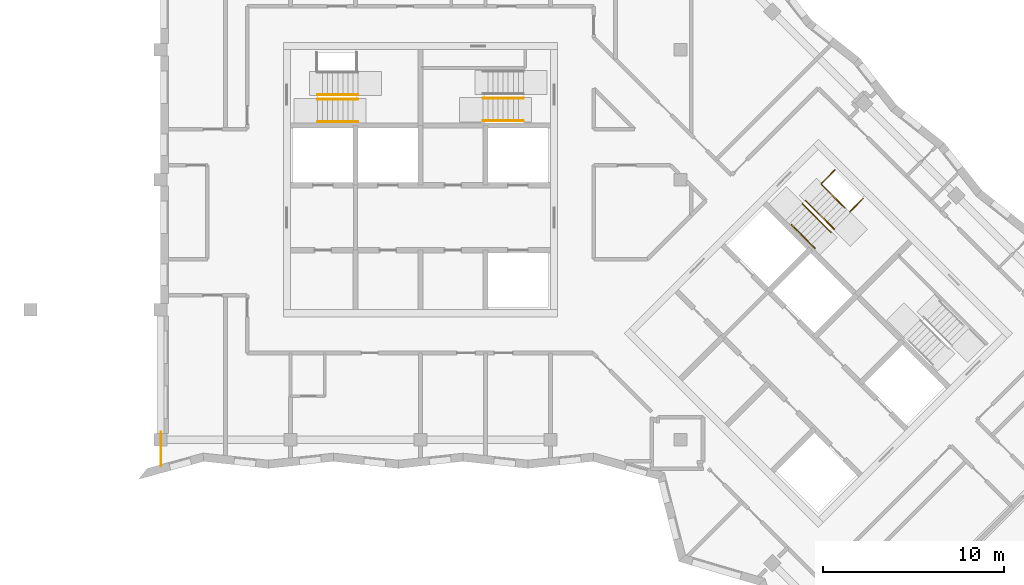
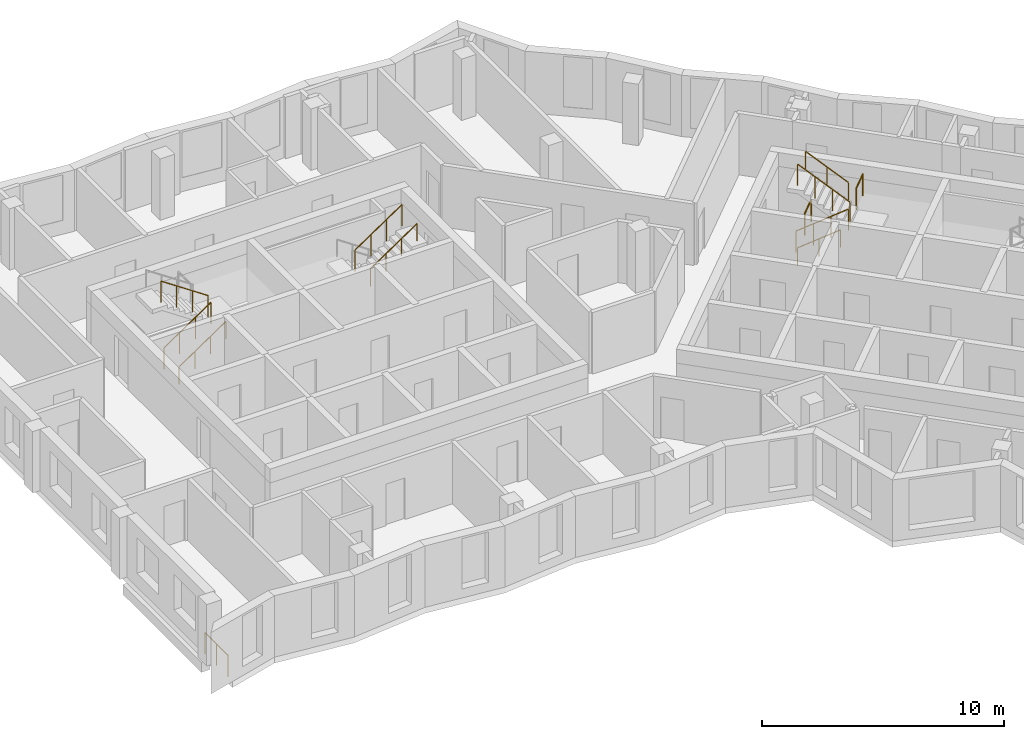
# One storey, part 9 of 12: 12 railings.
"""IFC4 building model written with IfcOpenShell, lengths in metres."""

from ifc_helpers import new_model, si_unit, direction, frame, origin, origin_2d, place, context, subcontext, project, spatial, circle, extrude, material, type_object, element, save


model = new_model("IFC4")

# Units and contexts
model_context = context("Model", 3, precision=1e-05, world=origin(), true_north=direction((0.0, 1.0)))
body_context = subcontext(model_context, "Body", "Model", "MODEL_VIEW")
ifc_project = project(units=[si_unit("LENGTHUNIT", "METRE"), si_unit("AREAUNIT", "SQUARE_METRE"), si_unit("VOLUMEUNIT", "CUBIC_METRE"), si_unit("PLANEANGLEUNIT", "RADIAN"), si_unit("MASSUNIT", "GRAM", prefix="KILO")], contexts=[model_context])

# Site, building, storey
site_placement = place(None, origin())
site = spatial("IfcSite", under=ifc_project, at=site_placement, CompositionType="ELEMENT")
building_placement = place(site_placement, origin())
building = spatial("IfcBuilding", under=site, at=building_placement, Name="Windrow Commons", CompositionType="ELEMENT")
storey_placement = place(building_placement, frame((0.0, 0.0, 254.0)))
storey = spatial("IfcBuildingStorey", under=building, at=storey_placement, Name="L69", CompositionType="ELEMENT", Elevation=254.0)

# Railings
ifc_material_1 = material(Name="Steel S355", Category="steel")
railing_type_1 = type_object("IfcRailingType", Name="Core stair guard 1100", PredefinedType="GUARDRAIL", material=ifc_material_1)
railing_1_placement = place(storey_placement, frame((59.1, 62.05, 0.1889)))
element("IfcRailing", 1, at=railing_1_placement, inside=storey, type_object=railing_type_1, Name="L69 ST-A1 stair guard 1", PredefinedType="GUARDRAIL", context=body_context, shape_type="SweptSolid", body=[
    extrude(circle(Radius=0.024, at=origin_2d()), frame((0.0, 0.0, 1.076), z_axis=(0.8290030985, 0.0, 0.5592440099), x_axis=(0.0, 1.0, 0.0)), (0.0, 0.0, 1.0), 2.702),
    extrude(circle(Radius=0.021, at=origin_2d()), origin(), (0.0, 0.0, 1.0), 1.052),
    extrude(circle(Radius=0.021, at=origin_2d()), frame((0.7467, 0.0, 0.5037)), (0.0, 0.0, 1.0), 1.052),
    extrude(circle(Radius=0.021, at=origin_2d()), frame((1.4933, 0.0, 1.0074)), (0.0, 0.0, 1.0), 1.052),
    extrude(circle(Radius=0.021, at=origin_2d()), frame((2.24, 0.0, 1.5111)), (0.0, 0.0, 1.0), 1.052),
])
railing_2_placement = place(storey_placement, frame((61.34, 62.3, 1.8889)))
element("IfcRailing", 2, at=railing_2_placement, inside=storey, type_object=railing_type_1, Name="L69 ST-A1 stair guard 2", PredefinedType="GUARDRAIL", context=body_context, shape_type="SweptSolid", body=[
    extrude(circle(Radius=0.024, at=origin_2d()), frame((0.0, 0.0, 1.076), z_axis=(-0.8290030985, 0.0, 0.5592440099), x_axis=(0.0, -1.0, 0.0)), (0.0, 0.0, 1.0), 2.702),
    extrude(circle(Radius=0.021, at=origin_2d()), origin(), (0.0, 0.0, 1.0), 1.052),
    extrude(circle(Radius=0.021, at=origin_2d()), frame((-0.7467, 0.0, 0.5037)), (0.0, 0.0, 1.0), 1.052),
    extrude(circle(Radius=0.021, at=origin_2d()), frame((-1.4933, 0.0, 1.0074)), (0.0, 0.0, 1.0), 1.052),
    extrude(circle(Radius=0.021, at=origin_2d()), frame((-2.24, 0.0, 1.5111)), (0.0, 0.0, 1.0), 1.052),
])
railing_3_placement = place(storey_placement, frame((68.26, 62.105, 1.8889)))
element("IfcRailing", 3, at=railing_3_placement, inside=storey, type_object=railing_type_1, Name="L69 ST-A2 stair guard 2", PredefinedType="GUARDRAIL", context=body_context, shape_type="SweptSolid", body=[
    extrude(circle(Radius=0.024, at=origin_2d()), frame((0.0, 0.0, 1.076), z_axis=(0.8290030985, 0.0, 0.5592440099), x_axis=(0.0, 1.0, 0.0)), (0.0, 0.0, 1.0), 2.702),
    extrude(circle(Radius=0.021, at=origin_2d()), origin(), (0.0, 0.0, 1.0), 1.052),
    extrude(circle(Radius=0.021, at=origin_2d()), frame((0.7467, 0.0, 0.5037)), (0.0, 0.0, 1.0), 1.052),
    extrude(circle(Radius=0.021, at=origin_2d()), frame((1.4933, 0.0, 1.0074)), (0.0, 0.0, 1.0), 1.052),
    extrude(circle(Radius=0.021, at=origin_2d()), frame((2.24, 0.0, 1.5111)), (0.0, 0.0, 1.0), 1.052),
])
railing_4_placement = place(storey_placement, frame((85.9529, 56.2669, 0.1889)))
element("IfcRailing", 4, at=railing_4_placement, inside=storey, type_object=railing_type_1, Name="L69 ST-B1 stair guard 1", PredefinedType="GUARDRAIL", context=body_context, shape_type="SweptSolid", body=[
    extrude(circle(Radius=0.024, at=origin_2d()), frame((0.0, 0.0, 1.076), z_axis=(0.5861914914, -0.5861914914, 0.5592486664), x_axis=(0.7071067812, 0.7071067812, 0.0)), (0.0, 0.0, 1.0), 2.702),
    extrude(circle(Radius=0.021, at=origin_2d()), origin(), (0.0, 0.0, 1.0), 1.052),
    extrude(circle(Radius=0.021, at=origin_2d()), frame((0.528, -0.528, 0.5037)), (0.0, 0.0, 1.0), 1.052),
    extrude(circle(Radius=0.021, at=origin_2d()), frame((1.0559, -1.0559, 1.0074)), (0.0, 0.0, 1.0), 1.052),
    extrude(circle(Radius=0.021, at=origin_2d()), frame((1.5839, -1.5839, 1.5111)), (0.0, 0.0, 1.0), 1.052),
])
railing_5_placement = place(storey_placement, frame((87.7136, 54.8597, 1.8889)))
element("IfcRailing", 5, at=railing_5_placement, inside=storey, type_object=railing_type_1, Name="L69 ST-B1 stair guard 2", PredefinedType="GUARDRAIL", context=body_context, shape_type="SweptSolid", body=[
    extrude(circle(Radius=0.024, at=origin_2d()), frame((0.0, 0.0, 1.076), z_axis=(-0.5862030657, 0.5862030657, 0.5592244018), x_axis=(-0.7071067812, -0.7071067812, 0.0)), (0.0, 0.0, 1.0), 2.7021),
    extrude(circle(Radius=0.021, at=origin_2d()), origin(), (0.0, 0.0, 1.0), 1.052),
    extrude(circle(Radius=0.021, at=origin_2d()), frame((-0.528, 0.528, 0.5037)), (0.0, 0.0, 1.0), 1.052),
    extrude(circle(Radius=0.021, at=origin_2d()), frame((-1.056, 1.056, 1.0074)), (0.0, 0.0, 1.0), 1.052),
    extrude(circle(Radius=0.021, at=origin_2d()), frame((-1.584, 1.584, 1.5111)), (0.0, 0.0, 1.0), 1.052),
])
railing_6_placement = place(storey_placement, frame((87.0135, 57.3982, 0.0)))
element("IfcRailing", 6, at=railing_6_placement, inside=storey, type_object=railing_type_1, Name="L69 ST-B1 stair guard 3", PredefinedType="GUARDRAIL", context=body_context, shape_type="SweptSolid", body=[
    extrude(circle(Radius=0.024, at=origin_2d()), frame((0.0, 0.0, 1.076), z_axis=(0.7070582378, 0.7071553212, 0.0), x_axis=(-0.7071553212, 0.7070582378, 0.0)), (0.0, 0.0, 1.0), 1.03),
    extrude(circle(Radius=0.021, at=origin_2d()), origin(), (0.0, 0.0, 1.0), 1.052),
    extrude(circle(Radius=0.021, at=origin_2d()), frame((0.7283, 0.7284, 0.0)), (0.0, 0.0, 1.0), 1.052),
])
railing_7_placement = place(storey_placement, frame((88.5833, 55.8285, 1.7)))
element("IfcRailing", 7, at=railing_7_placement, inside=storey, type_object=railing_type_1, Name="L69 ST-B1 stair guard 4", PredefinedType="GUARDRAIL", context=body_context, shape_type="SweptSolid", body=[
    extrude(circle(Radius=0.024, at=origin_2d()), frame((0.0, 0.0, 1.076), z_axis=(0.7071067812, 0.7071067812, 0.0), x_axis=(-0.7071067812, 0.7071067812, 0.0)), (0.0, 0.0, 1.0), 1.03),
    extrude(circle(Radius=0.021, at=origin_2d()), origin(), (0.0, 0.0, 1.0), 1.052),
    extrude(circle(Radius=0.021, at=origin_2d()), frame((0.7283, 0.7283, 0.0)), (0.0, 0.0, 1.0), 1.052),
])
ifc_material_2 = material(Name="Steel S355", Category="steel")
railing_type_2 = type_object("IfcRailingType", Name="Core stair handrail 900", PredefinedType="HANDRAIL", material=ifc_material_2)
for number, where, name in (
    (8, (59.1, 60.8, 0.1889), "L69 ST-A1 stair handrail 1"),
    (9, (68.26, 60.855, 1.8889), "L69 ST-A2 stair handrail 2"),
):
    element("IfcRailing", number, at=place(storey_placement, frame(where)), inside=storey, type_object=railing_type_2, Name=name, PredefinedType="HANDRAIL", context=body_context, shape_type="SweptSolid", body=[
        extrude(circle(Radius=0.024, at=origin_2d()), frame((0.0, 0.0, 0.876), z_axis=(0.8290030985, 0.0, 0.5592440099), x_axis=(0.0, 1.0, 0.0)), (0.0, 0.0, 1.0), 2.702),
        extrude(circle(Radius=0.021, at=origin_2d()), origin(), (0.0, 0.0, 1.0), 0.852),
        extrude(circle(Radius=0.021, at=origin_2d()), frame((0.7467, 0.0, 0.5037)), (0.0, 0.0, 1.0), 0.852),
        extrude(circle(Radius=0.021, at=origin_2d()), frame((1.4933, 0.0, 1.0074)), (0.0, 0.0, 1.0), 0.852),
        extrude(circle(Radius=0.021, at=origin_2d()), frame((2.24, 0.0, 1.5111)), (0.0, 0.0, 1.0), 0.852),
    ])
railing_8_placement = place(storey_placement, frame((85.3518, 55.1001, 0.4587)))
element("IfcRailing", 10, at=railing_8_placement, inside=storey, type_object=railing_type_2, Name="L69 ST-B1 stair handrail 1", PredefinedType="HANDRAIL", context=body_context, shape_type="SweptSolid", body=[
    extrude(circle(Radius=0.024, at=origin_2d()), frame((0.0, 0.0, 0.876), z_axis=(0.586206706, -0.5861616513, 0.5592639952), x_axis=(0.7070796062, 0.7071339551, 0.0)), (0.0, 0.0, 1.0), 2.2195),
    extrude(circle(Radius=0.021, at=origin_2d()), origin(), (0.0, 0.0, 1.0), 0.852),
    extrude(circle(Radius=0.021, at=origin_2d()), frame((0.6506, -0.6505, 0.6206)), (0.0, 0.0, 1.0), 0.852),
    extrude(circle(Radius=0.021, at=origin_2d()), frame((1.3011, -1.301, 1.2413)), (0.0, 0.0, 1.0), 0.852),
])
railing_9_placement = place(storey_placement, frame((88.3146, 56.0265, 2.1587)))
element("IfcRailing", 11, at=railing_9_placement, inside=storey, type_object=railing_type_2, Name="L69 ST-B1 stair handrail 2", PredefinedType="HANDRAIL", context=body_context, shape_type="SweptSolid", body=[
    extrude(circle(Radius=0.024, at=origin_2d()), frame((0.0, 0.0, 0.876), z_axis=(-0.586206706, 0.5861616513, 0.5592639952), x_axis=(-0.7070796062, -0.7071339551, 0.0)), (0.0, 0.0, 1.0), 2.2195),
    extrude(circle(Radius=0.021, at=origin_2d()), origin(), (0.0, 0.0, 1.0), 0.852),
    extrude(circle(Radius=0.021, at=origin_2d()), frame((-0.6506, 0.6505, 0.6206)), (0.0, 0.0, 1.0), 0.852),
    extrude(circle(Radius=0.021, at=origin_2d()), frame((-1.3011, 1.301, 1.2413)), (0.0, 0.0, 1.0), 0.852),
])
ifc_material_3 = material(Name="Stainless steel S316 balustrade with toughened glass infill", Category="steel")
railing_type_3 = type_object("IfcRailingType", Name="Terrace guard 1100", PredefinedType="BALUSTRADE", material=ifc_material_3)
railing_10_placement = place(storey_placement, frame((50.43, 41.7451, 0.0)))
element("IfcRailing", 12, at=railing_10_placement, inside=storey, type_object=railing_type_3, Name="Edge guard L69 1", PredefinedType="BALUSTRADE", context=body_context, shape_type="SweptSolid", body=[
    extrude(circle(Radius=0.025, at=origin_2d()), frame((0.0, 0.0, 1.075), z_axis=(0.0, 1.0, 0.0), x_axis=(-1.0, 0.0, 0.0)), (0.0, 0.0, 1.0), 1.8849),
    extrude(circle(Radius=0.02, at=origin_2d()), origin(), (0.0, 0.0, 1.0), 1.05),
    extrude(circle(Radius=0.02, at=origin_2d()), frame((0.0, 0.9425, 0.0)), (0.0, 0.0, 1.0), 1.05),
    extrude(circle(Radius=0.02, at=origin_2d()), frame((0.0, 1.8849, 0.0)), (0.0, 0.0, 1.0), 1.05),
])

save(model, "model.ifc")
